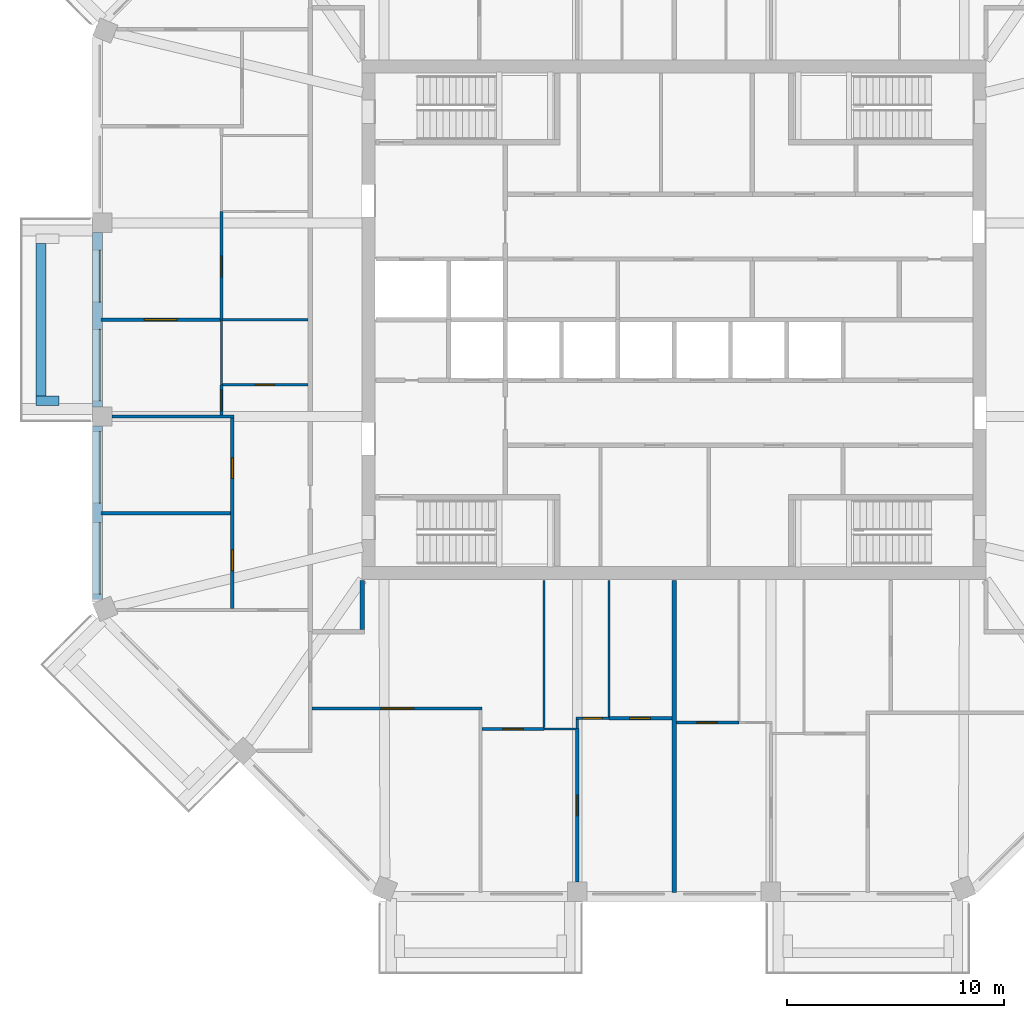
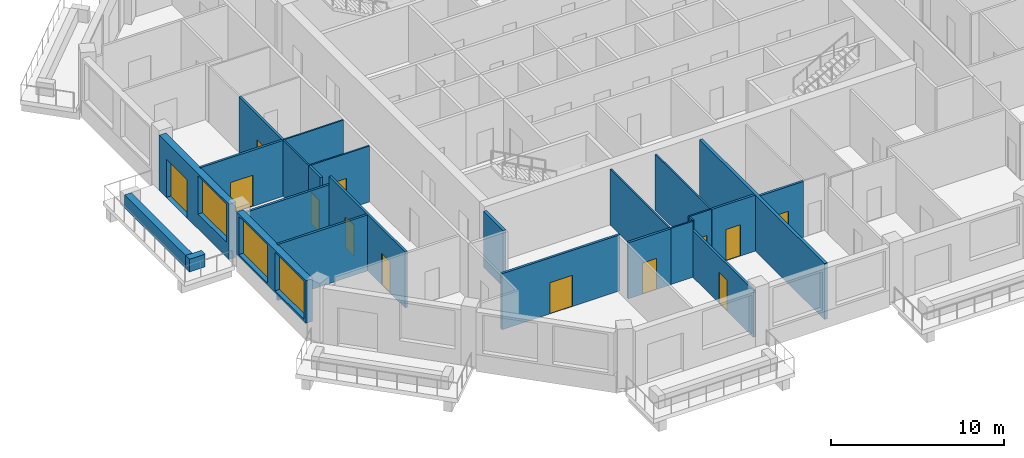
# One storey, part 3 of 12: 25 walls, 13 doors, 3 windows, 16 openings.
"""IFC4 building model written with IfcOpenShell, lengths in metres."""

from ifc_helpers import new_model, si_unit, direction, frame, frame_2d, origin, place, context, subcontext, project, spatial, rectangle, extrude, material, layer, layer_set, type_object, element, fill, save


model = new_model("IFC4")

# Units and contexts
model_context = context("Model", 3, precision=1e-05, world=origin(), true_north=direction((0.0, 1.0)))
body_context = subcontext(model_context, "Body", "Model", "MODEL_VIEW")
ifc_project = project(units=[si_unit("LENGTHUNIT", "METRE"), si_unit("AREAUNIT", "SQUARE_METRE"), si_unit("VOLUMEUNIT", "CUBIC_METRE"), si_unit("PLANEANGLEUNIT", "RADIAN"), si_unit("MASSUNIT", "GRAM", prefix="KILO")], contexts=[model_context])

# Site, building, storey
site_placement = place(None, origin())
site = spatial("IfcSite", under=ifc_project, at=site_placement, CompositionType="ELEMENT")
building_placement = place(site_placement, origin())
building = spatial("IfcBuilding", under=site, at=building_placement, Name="Msitu Wima Residences", CompositionType="ELEMENT")
storey_placement = place(building_placement, frame((0.0, 0.0, 251.699951171875)))
storey = spatial("IfcBuildingStorey", under=building, at=storey_placement, Name="L58", CompositionType="ELEMENT", Elevation=251.699951171875)

# Walls
ifc_material_1 = material(Name="Facing brick")
ifc_layer_1 = layer(ifc_material_1, 0.06494140625, Name="Facing brick")
ifc_material_2 = material(Name="Concrete C40/50", Category="concrete")
ifc_layer_2 = layer(ifc_material_2, 0.156005859375, Name="Concrete C40/50")
ifc_material_3 = material(Name="Waterproofing membrane")
ifc_layer_3 = layer(ifc_material_3, 0.00390625, Name="Waterproofing membrane")
ifc_material_4 = material(Name="Planting soil and planting")
ifc_layer_4 = layer(ifc_material_4, 0.22509765625, Name="Planting soil and planting")
ifc_layer_set_1 = layer_set([ifc_layer_1, ifc_layer_2, ifc_layer_3, ifc_layer_4], Name="Concrete C40/50")
wall_type_1 = type_object("IfcWallType", Name="Balcony planter PLANTER PL450", PredefinedType="USERDEFINED", material=ifc_layer_set_1)
wall_1_placement = place(storey_placement, frame((-29.22509765625, 3.5185546875, 0.0), z_axis=(0.0, 0.0, 1.0), x_axis=(0.0, -1.0, 0.0)))
element("IfcWall", 1, at=wall_1_placement, inside=storey, type_object=wall_type_1, Name="Balcony planter W1 L58", ObjectType="PLANTER", PredefinedType="USERDEFINED", context=body_context, shape_type="SweptSolid", body=[
    extrude(rectangle(XDim=7.037109375, YDim=0.449951171875, at=frame_2d((3.5185546875, 0.0))), origin(), (0.0, 0.0, 1.0), 0.900146484375),
])
wall_2_placement = place(storey_placement, frame((-28.39990234375, -3.74365234375, 0.0), z_axis=(0.0, 0.0, 1.0), x_axis=(-1.0, 0.0, 0.0)))
element("IfcWall", 2, at=wall_2_placement, inside=storey, type_object=wall_type_1, Name="Balcony planter W1 L58", ObjectType="PLANTER", PredefinedType="USERDEFINED", context=body_context, shape_type="SweptSolid", body=[
    extrude(rectangle(XDim=1.050048828125, YDim=0.449951171875, at=frame_2d((0.52490234375, 0.0))), origin(), (0.0, 0.0, 1.0), 0.900146484375),
])

# Wall, openings, door, window
ifc_material_5 = material(Name="Brick (red buff mix)", Category="masonry")
ifc_layer_5 = layer(ifc_material_5, 0.449951171875)
ifc_layer_set_2 = layer_set([ifc_layer_5], Name="Brick (red buff mix)")
wall_type_2 = type_object("IfcWallType", Name="Brick infill wall BW450", PredefinedType="SOLIDWALL", material=ifc_layer_set_2)
wall_3_placement = place(storey_placement, frame((-26.625, 4.0185546875, 0.0), z_axis=(0.0, 0.0, 1.0), x_axis=(0.0, -1.0, 0.0)))
wall_3 = element("IfcWall", 3, at=wall_3_placement, inside=storey, type_object=wall_type_2, Name="Brick infill wall L58 W1", PredefinedType="SOLIDWALL", context=body_context, shape_type="SweptSolid", body=[
    extrude(rectangle(XDim=8.037109375, YDim=0.449951171875, at=frame_2d((4.0185546875, 0.0))), origin(), (0.0, 0.0, 1.0), 3.900146484375),
])
opening_1_placement = place(wall_3_placement, frame((0.809326171875, 0.0, 0.0)))
opening_1 = element("IfcOpeningElement", 4, at=opening_1_placement, cuts=wall_3, Name="Opening D57-59.010", PredefinedType="OPENING", context=body_context, shape_type="SweptSolid", body=[
    extrude(rectangle(XDim=2.39990234375, YDim=2.699951171875, at=frame_2d((1.199951171875, 1.35009765625))), frame((0.0, 0.23486328125, 0.0), z_axis=(0.0, -1.0, 0.0), x_axis=(1.0, 0.0, 0.0)), (0.0, 0.0, 1.0), 0.469970703125),
])
opening_2_placement = place(wall_3_placement, frame((4.46875, 0.0, 1.050048828125)))
opening_2 = element("IfcOpeningElement", 5, at=opening_2_placement, cuts=wall_3, Name="Opening W57-59.028", PredefinedType="OPENING", context=body_context, shape_type="SweptSolid", body=[
    extrude(rectangle(XDim=3.300048828125, YDim=2.699951171875, at=frame_2d((1.64990234375, 1.35009765625))), frame((0.0, 0.23486328125, 0.0), z_axis=(0.0, -1.0, 0.0), x_axis=(1.0, 0.0, 0.0)), (0.0, 0.0, 1.0), 0.469970703125),
])
ifc_material_6 = material(Name="Anodised aluminium, bronze finish, clear low-emissivity double glazing", Category="aluminium")
door_type_1 = type_object("IfcDoorType", Name="Balcony door D2400x2700", OperationType="SLIDING_TO_LEFT", PredefinedType="DOOR", material=ifc_material_6)
door_1_placement = place(opening_1_placement, origin())
door_1 = element("IfcDoor", 6, at=door_1_placement, inside=storey, type_object=door_type_1, Name="Balcony door L58 W1", OperationType="SINGLE_SWING_LEFT", OverallHeight=2.699951171875, OverallWidth=2.39990234375, PredefinedType="DOOR", context=body_context, shape_type="SweptSolid", body=[
    extrude(rectangle(XDim=2.39990234375, YDim=2.699951171875, at=frame_2d((1.199951171875, 1.35009765625))), frame((0.0, 0.1298828125, 0.0), z_axis=(0.0, -1.0, 0.0), x_axis=(1.0, 0.0, 0.0)), (0.0, 0.0, 1.0), 0.050048828125),
])
fill(opening_1, door_1)
window_type = type_object("IfcWindowType", Name="Window W3300x2700", PartitioningType="DOUBLE_PANEL_VERTICAL", PredefinedType="WINDOW", material=ifc_material_6)
window_1_placement = place(opening_2_placement, origin())
window_1 = element("IfcWindow", 7, at=window_1_placement, inside=storey, type_object=window_type, Name="Window L58 W1.2", OverallHeight=2.699951171875, OverallWidth=3.300048828125, PartitioningType="SINGLE_PANEL", PredefinedType="WINDOW", context=body_context, shape_type="SweptSolid", body=[
    extrude(rectangle(XDim=3.300048828125, YDim=2.699951171875, at=frame_2d((1.64990234375, 1.35009765625))), frame((0.0, 0.135009765625, 0.0), z_axis=(0.0, -1.0, 0.0), x_axis=(1.0, 0.0, 0.0)), (0.0, 0.0, 1.0), 0.06005859375),
])
fill(opening_2, window_1)

# Wall, openings, windows
wall_4_placement = place(storey_placement, frame((-26.625, -4.918701171875, 0.900146484375), z_axis=(0.0, 0.0, 1.0), x_axis=(0.0, -1.0, 0.0)))
wall_4 = element("IfcWall", 8, at=wall_4_placement, inside=storey, type_object=wall_type_2, Name="Brick infill wall L58 W2", PredefinedType="SOLIDWALL", context=body_context, shape_type="SweptSolid", body=[
    extrude(rectangle(XDim=8.0, YDim=0.449951171875, at=frame_2d((4.0, 0.0))), origin(), (0.0, 0.0, 1.0), 3.0),
])
opening_3_placement = place(wall_4_placement, frame((0.25, 0.0, 0.14990234375)))
opening_3 = element("IfcOpeningElement", 9, at=opening_3_placement, cuts=wall_4, Name="Opening W57-59.029", PredefinedType="OPENING", context=body_context, shape_type="SweptSolid", body=[
    extrude(rectangle(XDim=3.300048828125, YDim=2.699951171875, at=frame_2d((1.64990234375, 1.35009765625))), frame((0.0, 0.23486328125, 0.0), z_axis=(0.0, -1.0, 0.0), x_axis=(1.0, 0.0, 0.0)), (0.0, 0.0, 1.0), 0.469970703125),
])
opening_4_placement = place(wall_4_placement, frame((4.4501953125, 0.0, 0.14990234375)))
opening_4 = element("IfcOpeningElement", 10, at=opening_4_placement, cuts=wall_4, Name="Opening W57-59.030", PredefinedType="OPENING", context=body_context, shape_type="SweptSolid", body=[
    extrude(rectangle(XDim=3.300048828125, YDim=2.699951171875, at=frame_2d((1.64990234375, 1.35009765625))), frame((0.0, 0.23486328125, 0.0), z_axis=(0.0, -1.0, 0.0), x_axis=(1.0, 0.0, 0.0)), (0.0, 0.0, 1.0), 0.469970703125),
])
window_2_placement = place(opening_3_placement, origin())
window_2 = element("IfcWindow", 11, at=window_2_placement, inside=storey, type_object=window_type, Name="Window L58 W2.1", OverallHeight=2.699951171875, OverallWidth=3.300048828125, PartitioningType="SINGLE_PANEL", PredefinedType="WINDOW", context=body_context, shape_type="SweptSolid", body=[
    extrude(rectangle(XDim=3.300048828125, YDim=2.699951171875, at=frame_2d((1.64990234375, 1.35009765625))), frame((0.0, 0.135009765625, 0.0), z_axis=(0.0, -1.0, 0.0), x_axis=(1.0, 0.0, 0.0)), (0.0, 0.0, 1.0), 0.06005859375),
])
fill(opening_3, window_2)
window_3_placement = place(opening_4_placement, origin())
window_3 = element("IfcWindow", 12, at=window_3_placement, inside=storey, type_object=window_type, Name="Window L58 W2.2", OverallHeight=2.699951171875, OverallWidth=3.300048828125, PartitioningType="SINGLE_PANEL", PredefinedType="WINDOW", context=body_context, shape_type="SweptSolid", body=[
    extrude(rectangle(XDim=3.300048828125, YDim=2.699951171875, at=frame_2d((1.64990234375, 1.35009765625))), frame((0.0, 0.135009765625, 0.0), z_axis=(0.0, -1.0, 0.0), x_axis=(1.0, 0.0, 0.0)), (0.0, 0.0, 1.0), 0.06005859375),
])
fill(opening_4, window_3)

# Walls
ifc_material_7 = material(Name="Plaster")
ifc_layer_6 = layer(ifc_material_7, 0.011962890625, Name="Plaster")
ifc_material_8 = material(Name="Concrete blockwork", Category="masonry")
ifc_layer_7 = layer(ifc_material_8, 0.176025390625, Name="Concrete blockwork")
ifc_layer_8 = layer(ifc_material_7, 0.011962890625, Name="Plaster")
ifc_layer_set_3 = layer_set([ifc_layer_6, ifc_layer_7, ifc_layer_8], Name="Concrete blockwork")
wall_type_3 = type_object("IfcWallType", Name="Corridor wall FW200", PredefinedType="PARTITIONING", material=ifc_layer_set_3)
wall_5_placement = place(storey_placement, frame((-14.39990234375, -14.300048828125, 0.0), z_axis=(0.0, 0.0, 1.0), x_axis=(0.0, 1.0, 0.0)))
element("IfcWall", 13, at=wall_5_placement, inside=storey, type_object=wall_type_3, Name="Corridor wall", PredefinedType="PARTITIONING", context=body_context, shape_type="SweptSolid", body=[
    extrude(rectangle(XDim=2.27001953125, YDim=0.199951171875, at=frame_2d((1.135009765625, 0.0))), origin(), (0.0, 0.0, 1.0), 3.949951171875),
])
ifc_layer_9 = layer(ifc_material_7, 0.011962890625, Name="Plaster")
ifc_layer_10 = layer(ifc_material_8, 0.1259765625, Name="Concrete blockwork")
ifc_layer_11 = layer(ifc_material_7, 0.011962890625, Name="Plaster")
ifc_layer_set_4 = layer_set([ifc_layer_9, ifc_layer_10, ifc_layer_11], Name="Concrete blockwork")
wall_type_4 = type_object("IfcWallType", Name="Partition PW150", PredefinedType="PARTITIONING", material=ifc_layer_set_4)
wall_6_placement = place(storey_placement, frame((-26.455078125, -8.937255859375, 0.0), z_axis=(0.0, 0.0, 1.0), x_axis=(1.0, 0.0, 0.0)))
element("IfcWall", 14, at=wall_6_placement, inside=storey, type_object=wall_type_4, Name="Partition", PredefinedType="PARTITIONING", context=body_context, shape_type="SweptSolid", body=[
    extrude(rectangle(XDim=5.97998046875, YDim=0.14990234375, at=frame_2d((2.989990234375, 0.0))), origin(), (0.0, 0.0, 1.0), 3.949951171875),
])
wall_7_placement = place(storey_placement, frame((-25.949951171875, -4.46875, 0.0), z_axis=(0.0, 0.0, 1.0), x_axis=(1.0, 0.0, 0.0)))
element("IfcWall", 15, at=wall_7_placement, inside=storey, type_object=wall_type_4, Name="Partition", PredefinedType="PARTITIONING", context=body_context, shape_type="SweptSolid", body=[
    extrude(rectangle(XDim=5.625, YDim=0.14990234375, at=frame_2d((2.8125, 0.0))), origin(), (0.0, 0.0, 1.0), 3.35009765625),
])

# Wall, opening, door
wall_8_placement = place(storey_placement, frame((-26.455078125, 0.0, 0.0), z_axis=(0.0, 0.0, 1.0), x_axis=(1.0, 0.0, 0.0)))
wall_8 = element("IfcWall", 16, at=wall_8_placement, inside=storey, type_object=wall_type_4, Name="Partition", PredefinedType="PARTITIONING", context=body_context, shape_type="SweptSolid", body=[
    extrude(rectangle(XDim=5.5751953125, YDim=0.14990234375, at=frame_2d((2.78759765625, 0.0))), origin(), (0.0, 0.0, 1.0), 3.949951171875),
])
opening_5_placement = place(wall_8_placement, frame((2.0, 0.0, 0.0)))
opening_5 = element("IfcOpeningElement", 17, at=opening_5_placement, cuts=wall_8, Name="Opening D57-59.046", PredefinedType="OPENING", context=body_context, shape_type="SweptSolid", body=[
    extrude(rectangle(XDim=1.5, YDim=2.199951171875, at=frame_2d((0.75, 1.10009765625))), frame((0.0, 0.0849609375, 0.0), z_axis=(0.0, -1.0, 0.0), x_axis=(1.0, 0.0, 0.0)), (0.0, 0.0, 1.0), 0.169921875),
])
ifc_material_9 = material(Name="Timber double door", Category="wood")
door_type_2 = type_object("IfcDoorType", Name="Double door D04 1500x2200", OperationType="DOUBLE_DOOR_SINGLE_SWING", PredefinedType="DOOR", material=ifc_material_9)
door_2_placement = place(opening_5_placement, origin())
door_2 = element("IfcDoor", 18, at=door_2_placement, inside=storey, type_object=door_type_2, Name="Double door", OperationType="DOUBLE_DOOR_SINGLE_SWING", OverallHeight=2.199951171875, OverallWidth=1.5, PredefinedType="DOOR", context=body_context, shape_type="SweptSolid", body=[
    extrude(rectangle(XDim=1.5, YDim=2.199951171875, at=frame_2d((0.75, 1.10009765625))), frame((0.0, 0.02490234375, 0.0), z_axis=(0.0, -1.0, 0.0), x_axis=(1.0, 0.0, 0.0)), (0.0, 0.0, 1.0), 0.050048828125),
])
fill(opening_5, door_2)

wall_9_placement = place(storey_placement, frame((-20.89990234375, -4.3935546875, 0.0), z_axis=(0.0, 0.0, 1.0), x_axis=(0.0, 1.0, 0.0)))
wall_9 = element("IfcWall", 19, at=wall_9_placement, inside=storey, type_object=wall_type_4, Name="Partition", PredefinedType="PARTITIONING", context=body_context, shape_type="SweptSolid", body=[
    extrude(rectangle(XDim=1.37353515625, YDim=0.14990234375, at=frame_2d((0.686767578125, 0.0))), origin(), (0.0, 0.0, 1.0), 3.949951171875),
])
opening_6_placement = place(wall_9_placement, frame((0.199951171875, 0.0, 0.0)))
opening_6 = element("IfcOpeningElement", 20, at=opening_6_placement, cuts=wall_9, Name="Opening D57-59.045", PredefinedType="OPENING", context=body_context, shape_type="SweptSolid", body=[
    extrude(rectangle(XDim=0.949951171875, YDim=2.199951171875, at=frame_2d((0.47509765625, 1.10009765625))), frame((0.0, 0.0849609375, 0.0), z_axis=(0.0, -1.0, 0.0), x_axis=(1.0, 0.0, 0.0)), (0.0, 0.0, 1.0), 0.169921875),
])
ifc_material_10 = material(Name="Timber flush door", Category="wood")
door_type_3 = type_object("IfcDoorType", Name="Room door D12 950x2200", OperationType="SINGLE_SWING_LEFT", PredefinedType="DOOR", material=ifc_material_10)
door_3_placement = place(opening_6_placement, origin())
door_3 = element("IfcDoor", 21, at=door_3_placement, inside=storey, type_object=door_type_3, Name="Room door", OperationType="SINGLE_SWING_LEFT", OverallHeight=2.199951171875, OverallWidth=0.949951171875, PredefinedType="DOOR", context=body_context, shape_type="SweptSolid", body=[
    extrude(rectangle(XDim=0.949951171875, YDim=2.199951171875, at=frame_2d((0.47509765625, 1.10009765625))), frame((0.0, 0.02490234375, 0.0), z_axis=(0.0, -1.0, 0.0), x_axis=(1.0, 0.0, 0.0)), (0.0, 0.0, 1.0), 0.050048828125),
])
fill(opening_6, door_3)

wall_10_placement = place(storey_placement, frame((-20.89990234375, -0.02001953125, 0.0), z_axis=(0.0, 0.0, 1.0), x_axis=(0.0, 1.0, 0.0)))
wall_10 = element("IfcWall", 22, at=wall_10_placement, inside=storey, type_object=wall_type_4, Name="Partition", PredefinedType="PARTITIONING", context=body_context, shape_type="SweptSolid", body=[
    extrude(rectangle(XDim=5.02001953125, YDim=0.14990234375, at=frame_2d((2.510009765625, 0.0))), origin(), (0.0, 0.0, 1.0), 3.949951171875),
])
opening_7_placement = place(wall_10_placement, frame((2.0, 0.0, 0.0)))
opening_7 = element("IfcOpeningElement", 23, at=opening_7_placement, cuts=wall_10, Name="Opening D57-59.030", PredefinedType="OPENING", context=body_context, shape_type="SweptSolid", body=[
    extrude(rectangle(XDim=0.949951171875, YDim=2.199951171875, at=frame_2d((0.47509765625, 1.10009765625))), frame((0.0, 0.0849609375, 0.0), z_axis=(0.0, -1.0, 0.0), x_axis=(1.0, 0.0, 0.0)), (0.0, 0.0, 1.0), 0.169921875),
])
door_4_placement = place(opening_7_placement, origin())
door_4 = element("IfcDoor", 24, at=door_4_placement, inside=storey, type_object=door_type_3, Name="Room door", OperationType="SINGLE_SWING_LEFT", OverallHeight=2.199951171875, OverallWidth=0.949951171875, PredefinedType="DOOR", context=body_context, shape_type="SweptSolid", body=[
    extrude(rectangle(XDim=0.949951171875, YDim=2.199951171875, at=frame_2d((0.47509765625, 1.10009765625))), frame((0.0, 0.02490234375, 0.0), z_axis=(0.0, -1.0, 0.0), x_axis=(1.0, 0.0, 0.0)), (0.0, 0.0, 1.0), 0.050048828125),
])
fill(opening_7, door_4)

# Wall, openings, doors
wall_11_placement = place(storey_placement, frame((-20.39990234375, -13.330810546875, 0.0), z_axis=(0.0, 0.0, 1.0), x_axis=(0.0, 1.0, 0.0)))
wall_11 = element("IfcWall", 25, at=wall_11_placement, inside=storey, type_object=wall_type_4, Name="Partition", PredefinedType="PARTITIONING", context=body_context, shape_type="SweptSolid", body=[
    extrude(rectangle(XDim=8.787109375, YDim=0.14990234375, at=frame_2d((4.3935546875, 0.0))), origin(), (0.0, 0.0, 1.0), 3.949951171875),
])
opening_8_placement = place(wall_11_placement, frame((1.75, 0.0, 0.0)))
opening_8 = element("IfcOpeningElement", 26, at=opening_8_placement, cuts=wall_11, Name="Opening D57-59.043", PredefinedType="OPENING", context=body_context, shape_type="SweptSolid", body=[
    extrude(rectangle(XDim=0.949951171875, YDim=2.199951171875, at=frame_2d((0.47509765625, 1.10009765625))), frame((0.0, 0.0849609375, 0.0), z_axis=(0.0, -1.0, 0.0), x_axis=(1.0, 0.0, 0.0)), (0.0, 0.0, 1.0), 0.169921875),
])
opening_9_placement = place(wall_11_placement, frame((6.0, 0.0, 0.0)))
opening_9 = element("IfcOpeningElement", 27, at=opening_9_placement, cuts=wall_11, Name="Opening D57-59.044", PredefinedType="OPENING", context=body_context, shape_type="SweptSolid", body=[
    extrude(rectangle(XDim=0.949951171875, YDim=2.199951171875, at=frame_2d((0.47509765625, 1.10009765625))), frame((0.0, 0.0849609375, 0.0), z_axis=(0.0, -1.0, 0.0), x_axis=(1.0, 0.0, 0.0)), (0.0, 0.0, 1.0), 0.169921875),
])
door_5_placement = place(opening_8_placement, origin())
door_5 = element("IfcDoor", 28, at=door_5_placement, inside=storey, type_object=door_type_3, Name="Room door", OperationType="SINGLE_SWING_RIGHT", OverallHeight=2.199951171875, OverallWidth=0.949951171875, PredefinedType="DOOR", context=body_context, shape_type="SweptSolid", body=[
    extrude(rectangle(XDim=0.949951171875, YDim=2.199951171875, at=frame_2d((0.47509765625, 1.10009765625))), frame((0.0, 0.02490234375, 0.0), z_axis=(0.0, -1.0, 0.0), x_axis=(1.0, 0.0, 0.0)), (0.0, 0.0, 1.0), 0.050048828125),
])
fill(opening_8, door_5)
door_6_placement = place(opening_9_placement, origin())
door_6 = element("IfcDoor", 29, at=door_6_placement, inside=storey, type_object=door_type_3, Name="Room door", OperationType="SINGLE_SWING_LEFT", OverallHeight=2.199951171875, OverallWidth=0.949951171875, PredefinedType="DOOR", context=body_context, shape_type="SweptSolid", body=[
    extrude(rectangle(XDim=0.949951171875, YDim=2.199951171875, at=frame_2d((0.47509765625, 1.10009765625))), frame((0.0, 0.02490234375, 0.0), z_axis=(0.0, -1.0, 0.0), x_axis=(1.0, 0.0, 0.0)), (0.0, 0.0, 1.0), 0.050048828125),
])
fill(opening_9, door_6)

# Wall, opening, door
wall_12_placement = place(storey_placement, frame((-16.72509765625, -17.949951171875, 0.0), z_axis=(0.0, 0.0, 1.0), x_axis=(1.0, 0.0, 0.0)))
wall_12 = element("IfcWall", 30, at=wall_12_placement, inside=storey, type_object=wall_type_4, Name="Partition", PredefinedType="PARTITIONING", context=body_context, shape_type="SweptSolid", body=[
    extrude(rectangle(XDim=7.86279296875, YDim=0.14990234375, at=frame_2d((3.931396484375, 0.0))), origin(), (0.0, 0.0, 1.0), 3.949951171875),
])
opening_10_placement = place(wall_12_placement, frame((3.199951171875, 0.0, 0.0)))
opening_10 = element("IfcOpeningElement", 31, at=opening_10_placement, cuts=wall_12, Name="Opening D57-59.027", PredefinedType="OPENING", context=body_context, shape_type="SweptSolid", body=[
    extrude(rectangle(XDim=1.5, YDim=2.199951171875, at=frame_2d((0.75, 1.10009765625))), frame((0.0, 0.0849609375, 0.0), z_axis=(0.0, -1.0, 0.0), x_axis=(1.0, 0.0, 0.0)), (0.0, 0.0, 1.0), 0.169921875),
])
door_7_placement = place(opening_10_placement, origin())
door_7 = element("IfcDoor", 32, at=door_7_placement, inside=storey, type_object=door_type_2, Name="Double door", OperationType="DOUBLE_DOOR_SINGLE_SWING", OverallHeight=2.199951171875, OverallWidth=1.5, PredefinedType="DOOR", context=body_context, shape_type="SweptSolid", body=[
    extrude(rectangle(XDim=1.5, YDim=2.199951171875, at=frame_2d((0.75, 1.10009765625))), frame((0.0, 0.02490234375, 0.0), z_axis=(0.0, -1.0, 0.0), x_axis=(1.0, 0.0, 0.0)), (0.0, 0.0, 1.0), 0.050048828125),
])
fill(opening_10, door_7)

wall_13_placement = place(storey_placement, frame((-8.8623046875, -18.89990234375, 0.0), z_axis=(0.0, 0.0, 1.0), x_axis=(1.0, 0.0, 0.0)))
wall_13 = element("IfcWall", 33, at=wall_13_placement, inside=storey, type_object=wall_type_4, Name="Partition", PredefinedType="PARTITIONING", context=body_context, shape_type="SweptSolid", body=[
    extrude(rectangle(XDim=2.8623046875, YDim=0.14990234375, at=frame_2d((1.43115234375, 0.0))), origin(), (0.0, 0.0, 1.0), 3.949951171875),
])
opening_11_placement = place(wall_13_placement, frame((0.949951171875, 0.0, 0.0)))
opening_11 = element("IfcOpeningElement", 34, at=opening_11_placement, cuts=wall_13, Name="Opening D57-59.026", PredefinedType="OPENING", context=body_context, shape_type="SweptSolid", body=[
    extrude(rectangle(XDim=0.949951171875, YDim=2.199951171875, at=frame_2d((0.47509765625, 1.10009765625))), frame((0.0, 0.0849609375, 0.0), z_axis=(0.0, -1.0, 0.0), x_axis=(1.0, 0.0, 0.0)), (0.0, 0.0, 1.0), 0.169921875),
])
door_8_placement = place(opening_11_placement, origin())
door_8 = element("IfcDoor", 35, at=door_8_placement, inside=storey, type_object=door_type_3, Name="Room door", OperationType="SINGLE_SWING_RIGHT", OverallHeight=2.199951171875, OverallWidth=0.949951171875, PredefinedType="DOOR", context=body_context, shape_type="SweptSolid", body=[
    extrude(rectangle(XDim=0.949951171875, YDim=2.199951171875, at=frame_2d((0.47509765625, 1.10009765625))), frame((0.0, 0.02490234375, 0.0), z_axis=(0.0, -1.0, 0.0), x_axis=(1.0, 0.0, 0.0)), (0.0, 0.0, 1.0), 0.050048828125),
])
fill(opening_11, door_8)

wall_14_placement = place(storey_placement, frame((-4.46875, -25.949951171875, 0.0), z_axis=(0.0, 0.0, 1.0), x_axis=(0.0, 1.0, 0.0)))
wall_14 = element("IfcWall", 36, at=wall_14_placement, inside=storey, type_object=wall_type_4, Name="Partition", PredefinedType="PARTITIONING", context=body_context, shape_type="SweptSolid", body=[
    extrude(rectangle(XDim=7.070068359375, YDim=0.14990234375, at=frame_2d((3.53515625, 0.0))), origin(), (0.0, 0.0, 1.0), 3.300048828125),
])
opening_12_placement = place(wall_14_placement, frame((3.050048828125, 0.0, 0.0)))
opening_12 = element("IfcOpeningElement", 37, at=opening_12_placement, cuts=wall_14, Name="Opening D57-59.033", PredefinedType="OPENING", context=body_context, shape_type="SweptSolid", body=[
    extrude(rectangle(XDim=0.949951171875, YDim=2.199951171875, at=frame_2d((0.47509765625, 1.10009765625))), frame((0.0, 0.0849609375, 0.0), z_axis=(0.0, -1.0, 0.0), x_axis=(1.0, 0.0, 0.0)), (0.0, 0.0, 1.0), 0.169921875),
])
door_9_placement = place(opening_12_placement, origin())
door_9 = element("IfcDoor", 38, at=door_9_placement, inside=storey, type_object=door_type_3, Name="Room door", OperationType="SINGLE_SWING_RIGHT", OverallHeight=2.199951171875, OverallWidth=0.949951171875, PredefinedType="DOOR", context=body_context, shape_type="SweptSolid", body=[
    extrude(rectangle(XDim=0.949951171875, YDim=2.199951171875, at=frame_2d((0.47509765625, 1.10009765625))), frame((0.0, 0.02490234375, 0.0), z_axis=(0.0, -1.0, 0.0), x_axis=(1.0, 0.0, 0.0)), (0.0, 0.0, 1.0), 0.050048828125),
])
fill(opening_12, door_9)

wall_15_placement = place(storey_placement, frame((-3.0, -18.39990234375, 0.0), z_axis=(0.0, 0.0, 1.0), x_axis=(1.0, 0.0, 0.0)))
wall_15 = element("IfcWall", 39, at=wall_15_placement, inside=storey, type_object=wall_type_4, Name="Partition", PredefinedType="PARTITIONING", context=body_context, shape_type="SweptSolid", body=[
    extrude(rectangle(XDim=2.89990234375, YDim=0.14990234375, at=frame_2d((1.449951171875, 0.0))), origin(), (0.0, 0.0, 1.0), 3.949951171875),
])
opening_13_placement = place(wall_15_placement, frame((0.949951171875, 0.0, 0.0)))
opening_13 = element("IfcOpeningElement", 40, at=opening_13_placement, cuts=wall_15, Name="Opening D57-59.037", PredefinedType="OPENING", context=body_context, shape_type="SweptSolid", body=[
    extrude(rectangle(XDim=0.949951171875, YDim=2.199951171875, at=frame_2d((0.47509765625, 1.10009765625))), frame((0.0, 0.0849609375, 0.0), z_axis=(0.0, -1.0, 0.0), x_axis=(1.0, 0.0, 0.0)), (0.0, 0.0, 1.0), 0.169921875),
])
door_10_placement = place(opening_13_placement, origin())
door_10 = element("IfcDoor", 41, at=door_10_placement, inside=storey, type_object=door_type_3, Name="Room door", OperationType="SINGLE_SWING_LEFT", OverallHeight=2.199951171875, OverallWidth=0.949951171875, PredefinedType="DOOR", context=body_context, shape_type="SweptSolid", body=[
    extrude(rectangle(XDim=0.949951171875, YDim=2.199951171875, at=frame_2d((0.47509765625, 1.10009765625))), frame((0.0, 0.02490234375, 0.0), z_axis=(0.0, -1.0, 0.0), x_axis=(1.0, 0.0, 0.0)), (0.0, 0.0, 1.0), 0.050048828125),
])
fill(opening_13, door_10)

wall_16_placement = place(storey_placement, frame((0.10009765625, -18.60009765625, 0.0), z_axis=(0.0, 0.0, 1.0), x_axis=(1.0, 0.0, 0.0)))
wall_16 = element("IfcWall", 42, at=wall_16_placement, inside=storey, type_object=wall_type_4, Name="Partition", PredefinedType="PARTITIONING", context=body_context, shape_type="SweptSolid", body=[
    extrude(rectangle(XDim=2.89990234375, YDim=0.14990234375, at=frame_2d((1.449951171875, 0.0))), origin(), (0.0, 0.0, 1.0), 3.949951171875),
])
opening_14_placement = place(wall_16_placement, frame((0.949951171875, 0.0, 0.0)))
opening_14 = element("IfcOpeningElement", 43, at=opening_14_placement, cuts=wall_16, Name="Opening D57-59.053", PredefinedType="OPENING", context=body_context, shape_type="SweptSolid", body=[
    extrude(rectangle(XDim=0.949951171875, YDim=2.199951171875, at=frame_2d((0.47509765625, 1.10009765625))), frame((0.0, 0.0849609375, 0.0), z_axis=(0.0, -1.0, 0.0), x_axis=(1.0, 0.0, 0.0)), (0.0, 0.0, 1.0), 0.169921875),
])
door_11_placement = place(opening_14_placement, origin())
door_11 = element("IfcDoor", 44, at=door_11_placement, inside=storey, type_object=door_type_3, Name="Room door", OperationType="SINGLE_SWING_RIGHT", OverallHeight=2.199951171875, OverallWidth=0.949951171875, PredefinedType="DOOR", context=body_context, shape_type="SweptSolid", body=[
    extrude(rectangle(XDim=0.949951171875, YDim=2.199951171875, at=frame_2d((0.47509765625, 1.10009765625))), frame((0.0, 0.02490234375, 0.0), z_axis=(0.0, -1.0, 0.0), x_axis=(1.0, 0.0, 0.0)), (0.0, 0.0, 1.0), 0.050048828125),
])
fill(opening_14, door_11)

# Walls
ifc_layer_12 = layer(ifc_material_7, 0.011962890625, Name="Plaster")
ifc_material_11 = material(Name="Dense concrete blockwork", Category="masonry")
ifc_layer_13 = layer(ifc_material_11, 0.176025390625, Name="Dense concrete blockwork")
ifc_layer_14 = layer(ifc_material_7, 0.011962890625, Name="Plaster")
ifc_layer_set_5 = layer_set([ifc_layer_12, ifc_layer_13, ifc_layer_14], Name="Dense concrete blockwork")
wall_type_5 = type_object("IfcWallType", Name="Party wall PW200", PredefinedType="PARTITIONING", material=ifc_layer_set_5)
wall_17_placement = place(storey_placement, frame((0.0, -26.455078125, 0.0), z_axis=(0.0, 0.0, 1.0), x_axis=(0.0, 1.0, 0.0)))
element("IfcWall", 45, at=wall_17_placement, inside=storey, type_object=wall_type_5, Name="Party wall", PredefinedType="PARTITIONING", context=body_context, shape_type="SweptSolid", body=[
    extrude(rectangle(XDim=14.425048828125, YDim=0.199951171875, at=frame_2d((7.21240234375, 0.0))), origin(), (0.0, 0.0, 1.0), 3.949951171875),
])
ifc_material_12 = material(Name="Ceramic tiles")
ifc_layer_15 = layer(ifc_material_12, 0.008056640625, Name="Ceramic tiles")
ifc_material_13 = material(Name="Moisture-resistant board")
ifc_layer_16 = layer(ifc_material_13, 0.012451171875, Name="Moisture-resistant board")
ifc_material_14 = material(Name="Light-gauge stud framing with mineral wool")
ifc_layer_17 = layer(ifc_material_14, 0.06689453125, Name="Light-gauge stud framing with mineral wool")
ifc_layer_18 = layer(ifc_material_13, 0.012451171875, Name="Moisture-resistant board")
ifc_layer_set_6 = layer_set([ifc_layer_15, ifc_layer_16, ifc_layer_17, ifc_layer_18], Name="Light-gauge stud framing with mineral wool")
wall_type_6 = type_object("IfcWallType", Name="Wet wall PW100", PredefinedType="PARTITIONING", material=ifc_layer_set_6)
wall_18_placement = place(storey_placement, frame((-20.89990234375, -3.02001953125, 0.0), z_axis=(0.0, 0.0, 1.0), x_axis=(0.0, 1.0, 0.0)))
element("IfcWall", 46, at=wall_18_placement, inside=storey, type_object=wall_type_6, Name="Wet wall", PredefinedType="PARTITIONING", context=body_context, shape_type="SweptSolid", body=[
    extrude(rectangle(XDim=3.0, YDim=0.10009765625, at=frame_2d((1.5, 0.0))), origin(), (0.0, 0.0, 1.0), 3.949951171875),
])

# Wall, opening, door
wall_19_placement = place(storey_placement, frame((-20.85009765625, -3.0, 0.0), z_axis=(0.0, 0.0, 1.0), x_axis=(1.0, 0.0, 0.0)))
wall_19 = element("IfcWall", 47, at=wall_19_placement, inside=storey, type_object=wall_type_6, Name="Wet wall", PredefinedType="PARTITIONING", context=body_context, shape_type="SweptSolid", body=[
    extrude(rectangle(XDim=3.9501953125, YDim=0.10009765625, at=frame_2d((1.97509765625, 0.0))), origin(), (0.0, 0.0, 1.0), 3.949951171875),
])
opening_15_placement = place(wall_19_placement, frame((1.5, 0.0, 0.0)))
opening_15 = element("IfcOpeningElement", 48, at=opening_15_placement, cuts=wall_19, Name="Opening D57-59.036", PredefinedType="OPENING", context=body_context, shape_type="SweptSolid", body=[
    extrude(rectangle(XDim=0.89990234375, YDim=2.199951171875, at=frame_2d((0.449951171875, 1.10009765625))), frame((0.0, 0.06005859375, 0.0), z_axis=(0.0, -1.0, 0.0), x_axis=(1.0, 0.0, 0.0)), (0.0, 0.0, 1.0), 0.1201171875),
])
ifc_material_15 = material(Name="Timber flush door, moisture resistant", Category="wood")
door_type_4 = type_object("IfcDoorType", Name="Bathroom door D03 900x2200", OperationType="SINGLE_SWING_LEFT", PredefinedType="DOOR", material=ifc_material_15)
door_12_placement = place(opening_15_placement, origin())
door_12 = element("IfcDoor", 49, at=door_12_placement, inside=storey, type_object=door_type_4, Name="Bathroom door", OperationType="SINGLE_SWING_LEFT", OverallHeight=2.199951171875, OverallWidth=0.89990234375, PredefinedType="DOOR", context=body_context, shape_type="SweptSolid", body=[
    extrude(rectangle(XDim=0.89990234375, YDim=2.199951171875, at=frame_2d((0.449951171875, 1.10009765625))), frame((0.0, 0.02490234375, 0.0), z_axis=(0.0, -1.0, 0.0), x_axis=(1.0, 0.0, 0.0)), (0.0, 0.0, 1.0), 0.050048828125),
])
fill(opening_15, door_12)

# Walls
wall_20_placement = place(storey_placement, frame((-20.8798828125, 0.0, 0.0), z_axis=(0.0, 0.0, 1.0), x_axis=(1.0, 0.0, 0.0)))
element("IfcWall", 50, at=wall_20_placement, inside=storey, type_object=wall_type_6, Name="Wet wall", PredefinedType="PARTITIONING", context=body_context, shape_type="SweptSolid", body=[
    extrude(rectangle(XDim=3.97998046875, YDim=0.10009765625, at=frame_2d((1.989990234375, 0.0))), origin(), (0.0, 0.0, 1.0), 3.949951171875),
])
wall_21_placement = place(storey_placement, frame((-6.0, -18.824951171875, 0.0), z_axis=(0.0, 0.0, 1.0), x_axis=(0.0, 1.0, 0.0)))
element("IfcWall", 51, at=wall_21_placement, inside=storey, type_object=wall_type_6, Name="Wet wall", PredefinedType="PARTITIONING", context=body_context, shape_type="SweptSolid", body=[
    extrude(rectangle(XDim=6.794921875, YDim=0.10009765625, at=frame_2d((3.3974609375, 0.0))), origin(), (0.0, 0.0, 1.0), 3.949951171875),
])
wall_22_placement = place(storey_placement, frame((-6.0, -18.89990234375, 0.0), z_axis=(0.0, 0.0, 1.0), x_axis=(1.0, 0.0, 0.0)))
element("IfcWall", 52, at=wall_22_placement, inside=storey, type_object=wall_type_6, Name="Wet wall", PredefinedType="PARTITIONING", context=body_context, shape_type="SweptSolid", body=[
    extrude(rectangle(XDim=1.456298828125, YDim=0.10009765625, at=frame_2d((0.72802734375, 0.0))), origin(), (0.0, 0.0, 1.0), 3.949951171875),
])
wall_23_placement = place(storey_placement, frame((-4.46875, -18.8798828125, 0.0), z_axis=(0.0, 0.0, 1.0), x_axis=(0.0, 1.0, 0.0)))
element("IfcWall", 53, at=wall_23_placement, inside=storey, type_object=wall_type_6, Name="Wet wall", PredefinedType="PARTITIONING", context=body_context, shape_type="SweptSolid", body=[
    extrude(rectangle(XDim=0.429931640625, YDim=0.10009765625, at=frame_2d((0.21484375, 0.0))), origin(), (0.0, 0.0, 1.0), 3.949951171875),
])

# Wall, opening, door
wall_24_placement = place(storey_placement, frame((-4.5185546875, -18.39990234375, 0.0), z_axis=(0.0, 0.0, 1.0), x_axis=(1.0, 0.0, 0.0)))
wall_24 = element("IfcWall", 54, at=wall_24_placement, inside=storey, type_object=wall_type_6, Name="Wet wall", PredefinedType="PARTITIONING", context=body_context, shape_type="SweptSolid", body=[
    extrude(rectangle(XDim=1.5185546875, YDim=0.10009765625, at=frame_2d((0.75927734375, 0.0))), origin(), (0.0, 0.0, 1.0), 3.949951171875),
])
opening_16_placement = place(wall_24_placement, frame((0.300048828125, 0.0, 0.0)))
opening_16 = element("IfcOpeningElement", 55, at=opening_16_placement, cuts=wall_24, Name="Opening D57-59.038", PredefinedType="OPENING", context=body_context, shape_type="SweptSolid", body=[
    extrude(rectangle(XDim=0.89990234375, YDim=2.199951171875, at=frame_2d((0.449951171875, 1.10009765625))), frame((0.0, 0.06005859375, 0.0), z_axis=(0.0, -1.0, 0.0), x_axis=(1.0, 0.0, 0.0)), (0.0, 0.0, 1.0), 0.1201171875),
])
door_13_placement = place(opening_16_placement, origin())
door_13 = element("IfcDoor", 56, at=door_13_placement, inside=storey, type_object=door_type_4, Name="Bathroom door", OperationType="SINGLE_SWING_RIGHT", OverallHeight=2.199951171875, OverallWidth=0.89990234375, PredefinedType="DOOR", context=body_context, shape_type="SweptSolid", body=[
    extrude(rectangle(XDim=0.89990234375, YDim=2.199951171875, at=frame_2d((0.449951171875, 1.10009765625))), frame((0.0, 0.02490234375, 0.0), z_axis=(0.0, -1.0, 0.0), x_axis=(1.0, 0.0, 0.0)), (0.0, 0.0, 1.0), 0.050048828125),
])
fill(opening_16, door_13)

# Wall
wall_25_placement = place(storey_placement, frame((-3.0, -18.35009765625, 0.0), z_axis=(0.0, 0.0, 1.0), x_axis=(0.0, 1.0, 0.0)))
element("IfcWall", 57, at=wall_25_placement, inside=storey, type_object=wall_type_6, Name="Wet wall", PredefinedType="PARTITIONING", context=body_context, shape_type="SweptSolid", body=[
    extrude(rectangle(XDim=6.320068359375, YDim=0.10009765625, at=frame_2d((3.16015625, 0.0))), origin(), (0.0, 0.0, 1.0), 3.949951171875),
])

save(model, "model.ifc")
